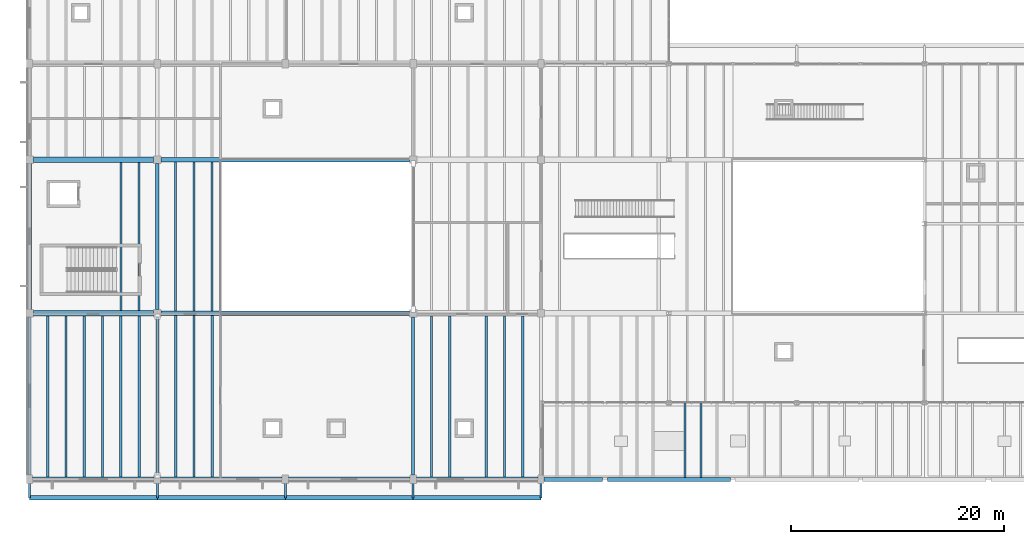
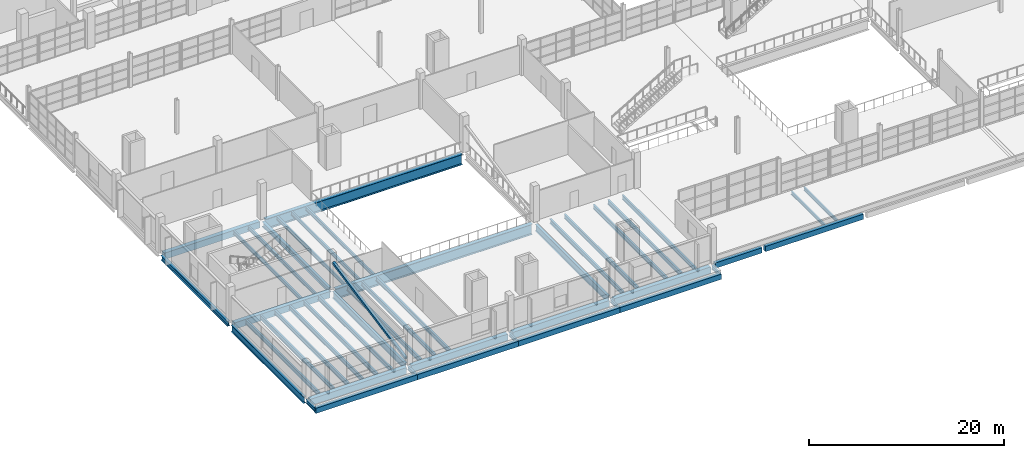
# One storey, part 11 of 114: 45 beams, 1 member.
"""IFC4 building model written with IfcOpenShell, lengths in metres."""

import ifcopenshell
import ifcopenshell.guid

model = None  # the IFC model being written
_history = None  # IfcOwnerHistory: only IFC2X3 demands one
_inside = {}  # id of a spatial element -> (the spatial element, [elements in it])
_under = {}  # id of a project, library or spatial element -> (it, [spatial elements below it])
_declared = {}  # id of a project -> (the project, [libraries it declares])
_typed = {}  # id of a type object -> (the type object, [elements of that type])
_made_of = {}  # id of a material, layer set ... -> (it, [elements and type objects made of it])


def new_model(schema):
    """Start an empty IFC model of exactly this schema.

    Asked for "IFC4X3", IfcOpenShell would pick the latest addendum, in which some entities
    have other attributes; the version numbers below select the first issue.
    IFC2X3 requires an IfcOwnerHistory on every rooted entity: one is made here for all.
    """
    global model, _history
    if schema == "IFC4X3":
        model = ifcopenshell.file(schema_version=(4, 3, 0, 0))
    else:
        model = ifcopenshell.file(schema=schema)
    _inside.clear()
    _under.clear()
    _declared.clear()
    _typed.clear()
    _made_of.clear()
    _history = None
    if model.schema == "IFC2X3":
        org = make("IfcOrganization", Name="unknown")
        user = make(
            "IfcPersonAndOrganization",
            ThePerson=make("IfcPerson", FamilyName="unknown"),
            TheOrganization=org,
        )
        app = make(
            "IfcApplication",
            ApplicationDeveloper=org,
            Version="unknown",
            ApplicationFullName="unknown",
            ApplicationIdentifier="unknown",
        )
        _history = make(
            "IfcOwnerHistory",
            OwningUser=user,
            OwningApplication=app,
            ChangeAction="ADDED",
            CreationDate=0,
        )
    return model


def make(cls, **values):
    """One entity of the class cls with the attributes given. An attribute that is None is left unset."""
    return model.create_entity(
        cls, **{name: value for name, value in values.items() if value is not None}
    )


def rooted(cls, **values):
    """An entity with a GlobalId (a new one), such as an element, a storey or a relation."""
    return make(cls, GlobalId=ifcopenshell.guid.new(), OwnerHistory=_history, **values)


def si_unit(unit_type, name, prefix=None):
    """IfcSIUnit, for example si_unit("LENGTHUNIT", "METRE", prefix="MILLI")."""
    return make("IfcSIUnit", UnitType=unit_type, Prefix=prefix, Name=name)


def assignment(units):
    """IfcUnitAssignment: the units of a project."""
    return None if units is None else make("IfcUnitAssignment", Units=units)


def point(xyz):
    """IfcCartesianPoint."""
    return None if xyz is None else make("IfcCartesianPoint", Coordinates=xyz)


def direction(xyz):
    """IfcDirection."""
    return None if xyz is None else make("IfcDirection", DirectionRatios=xyz)


def frame(location, z_axis=None, x_axis=None):
    """IfcAxis2Placement3D, a coordinate frame: its origin and axes. An axis left out is left unset."""
    return make(
        "IfcAxis2Placement3D",
        Location=point(location),
        Axis=direction(z_axis),
        RefDirection=direction(x_axis),
    )


def frame_2d(location, x_axis=None):
    """IfcAxis2Placement2D, a coordinate frame in the plane: its origin and x axis."""
    return make(
        "IfcAxis2Placement2D", Location=point(location), RefDirection=direction(x_axis)
    )


def origin():
    """The frame at (0, 0, 0) with its axes left unset."""
    return frame((0.0, 0.0, 0.0))


def origin_2d():
    """The frame at (0, 0) in the plane with its x axis left unset."""
    return frame_2d((0.0, 0.0))


def place(relative_to, where):
    """IfcLocalPlacement: puts the frame where relative to a parent placement (None: the world)."""
    return make(
        "IfcLocalPlacement", PlacementRelTo=relative_to, RelativePlacement=where
    )


def context(
    kind, dimensions, precision=None, world=None, true_north=None, identifier=None
):
    """IfcGeometricRepresentationContext, for example the 3D "Model" context."""
    return make(
        "IfcGeometricRepresentationContext",
        ContextIdentifier=identifier,
        ContextType=kind,
        CoordinateSpaceDimension=dimensions,
        Precision=precision,
        WorldCoordinateSystem=world,
        TrueNorth=true_north,
    )


def subcontext(parent, identifier, kind, view, scale=None):
    """IfcGeometricRepresentationSubContext, for example "Body" below "Model"."""
    return make(
        "IfcGeometricRepresentationSubContext",
        ContextIdentifier=identifier,
        ContextType=kind,
        ParentContext=parent,
        TargetScale=scale,
        TargetView=view,
    )


def project(units=None, contexts=None):
    """IfcProject with its units and contexts."""
    return rooted(
        "IfcProject",
        Name="project",
        RepresentationContexts=contexts,
        UnitsInContext=assignment(units),
    )


def spatial(cls, under=None, at=None, **own):
    """A site, building, storey or space (cls), placed at a placement, below another one or the project."""
    s = rooted(cls, ObjectPlacement=at, **own)
    if under is not None:
        _under.setdefault(under.id(), (under, []))[1].append(s)
    return s


def profile(cls, at=None, kind="AREA", **sizes):
    """A parametric profile (cls). Its sizes go by their IFC names, for example OverallWidth=200.0."""
    return make(cls, ProfileType=kind, Position=at, **sizes)


def rectangle(**sizes):
    """IfcRectangleProfileDef."""
    return profile("IfcRectangleProfileDef", **sizes)


def hollow_rectangle(**sizes):
    """IfcRectangleHollowProfileDef."""
    return profile("IfcRectangleHollowProfileDef", **sizes)


def i_section(**sizes):
    """IfcIShapeProfileDef."""
    return profile("IfcIShapeProfileDef", **sizes)


def extrude(swept, where, along, depth):
    """IfcExtrudedAreaSolid: the profile swept, set in the frame where, extruded along a direction by depth."""
    return make(
        "IfcExtrudedAreaSolid",
        SweptArea=swept,
        Position=where,
        ExtrudedDirection=direction(along),
        Depth=depth,
    )


def shape(context_of_items, identifier, shape_type, items):
    """IfcShapeRepresentation: the items that make up one representation, for example the "Body"."""
    return make(
        "IfcShapeRepresentation",
        ContextOfItems=context_of_items,
        RepresentationIdentifier=identifier,
        RepresentationType=shape_type,
        Items=items,
    )


def material(Name=None, Category=None):
    """IfcMaterial."""
    return make("IfcMaterial", Name=Name, Category=Category)


def material_profile(
    of_material, cross_section, Name=None, Category=None, Priority=None
):
    """IfcMaterialProfile: a cross section and its material."""
    return make(
        "IfcMaterialProfile",
        Name=Name,
        Material=of_material,
        Profile=cross_section,
        Priority=Priority,
        Category=Category,
    )


def profile_set(profiles, Name=None, composite=None):
    """IfcMaterialProfileSet."""
    return make(
        "IfcMaterialProfileSet",
        Name=Name,
        MaterialProfiles=profiles,
        CompositeProfile=composite,
    )


def made_of(thing, what):
    """Note that an element or type object is made of a material, layer set ...; save() writes the relation."""
    if what is not None:
        _made_of.setdefault(what.id(), (what, []))[1].append(thing)
    return thing


def type_object(cls, material=None, **own):
    """A type object (cls), such as IfcWallType, which elements share."""
    return made_of(rooted(cls, **own), material)


def element(
    cls,
    number,
    at=None,
    inside=None,
    cuts=None,
    type_object=None,
    material=None,
    context=None,
    identifier="Body",
    shape_type=None,
    held_by="IfcProductDefinitionShape",
    body=None,
    shapes=None,
    **own,
):
    """One element of the class cls, such as IfcWall. Its Tag is "e" and its number.

    at: its placement. inside: the storey or other place that contains it. cuts: it is an
    opening in that element (IfcRelVoidsElement). A single representation is given by context,
    identifier, shape_type and body (its items); several are given by shapes. held_by: the class
    of the entity that holds the representations. save() writes the other relations.
    """
    e = rooted(cls, Tag="e%d" % number, ObjectPlacement=at, **own)
    if body is not None:
        shapes = [shape(context, identifier, shape_type, body)]
    if shapes is not None:
        e.Representation = make(held_by, Representations=shapes)
    if inside is not None:
        _inside.setdefault(inside.id(), (inside, []))[1].append(e)
    if cuts is not None:
        rooted(
            "IfcRelVoidsElement", RelatingBuildingElement=cuts, RelatedOpeningElement=e
        )
    if type_object is not None:
        _typed.setdefault(type_object.id(), (type_object, []))[1].append(e)
    return made_of(e, material)


def aggregate(whole, parts):
    """IfcRelAggregates: a whole, such as a stair, and the parts it consists of."""
    return rooted("IfcRelAggregates", RelatingObject=whole, RelatedObjects=parts)


def save(model, path):
    """Write the relations noted so far, then the file.

    IfcRelAggregates (storeys below a building ...), IfcRelContainedInSpatialStructure (elements
    in a storey), IfcRelDefinesByType, IfcRelAssociatesMaterial and IfcRelDeclares: one each for
    every whole, place, type object, material and project.
    """
    for whole, parts in _under.values():
        aggregate(whole, parts)
    for where, things in _inside.values():
        rooted(
            "IfcRelContainedInSpatialStructure",
            RelatedElements=things,
            RelatingStructure=where,
        )
    for kind, things in _typed.values():
        rooted("IfcRelDefinesByType", RelatedObjects=things, RelatingType=kind)
    for what, things in _made_of.values():
        rooted("IfcRelAssociatesMaterial", RelatedObjects=things, RelatingMaterial=what)
    for by, libraries in _declared.values():
        rooted("IfcRelDeclares", RelatingContext=by, RelatedDefinitions=libraries)
    model.write(path)


model = new_model("IFC4")

# Units and contexts
model_context = context("Model", 3, precision=1e-05, world=origin(), true_north=direction((0.0, 1.0)))
body_context = subcontext(model_context, "Body", "Model", "MODEL_VIEW")
ifc_project = project(units=[si_unit("LENGTHUNIT", "METRE"), si_unit("AREAUNIT", "SQUARE_METRE"), si_unit("VOLUMEUNIT", "CUBIC_METRE"), si_unit("PLANEANGLEUNIT", "RADIAN"), si_unit("MASSUNIT", "GRAM", prefix="KILO")], contexts=[model_context])

# Site, building, storey
site_placement = place(None, origin())
site = spatial("IfcSite", under=ifc_project, at=site_placement, CompositionType="ELEMENT")
building_placement = place(site_placement, origin())
building = spatial("IfcBuilding", under=site, at=building_placement, Name="Kelmvaro Bay Concert Hall", CompositionType="ELEMENT")
storey_placement = place(building_placement, frame((0.0, 0.0, 4.800048828125)))
storey = spatial("IfcBuildingStorey", under=building, at=storey_placement, Name="L01", CompositionType="ELEMENT", Elevation=4.800048828125)

# Beams
ifc_material_1 = material(Name="Steel ASTM A992 Grade 50", Category="steel")
ifc_material_profile_1 = material_profile(ifc_material_1, i_section(OverallWidth=0.19189453125, OverallDepth=0.4619140625, WebThickness=0.010498046875, FlangeThickness=0.017578125, at=origin_2d()), Name="W18X60")
ifc_profile_set_1 = profile_set([ifc_material_profile_1], Name="Steel ASTM A992 Grade 50")
beam_type_1 = type_object("IfcBeamType", Name="Acoustic Box Floor Joist W18x60", PredefinedType="JOIST", material=ifc_profile_set_1)
for number, where, z_axis, x_axis, name in (
    (1, (8.5712890625, 15.85009765625, -0.48095703125), (0.0, 1.0, 0.0), (-1.0, 0.0, 0.0), "L01 Floor Joist JST-L01-0280"),
    (2, (10.28564453125, 15.85009765625, -0.48095703125), (0.0, 1.0, 0.0), (-1.0, 0.0, 0.0), "L01 Floor Joist JST-L01-0281"),
):
    element("IfcBeam", number, at=place(storey_placement, frame(where, z_axis=z_axis, x_axis=x_axis)), inside=storey, type_object=beam_type_1, Name=name, PredefinedType="JOIST", context=body_context, shape_type="SweptSolid", body=[
        extrude(i_section(OverallWidth=0.19189453125, OverallDepth=0.4619140625, WebThickness=0.010498046875, FlangeThickness=0.017578125, at=origin_2d()), origin(), (0.0, 0.0, 1.0), 13.89990234375),
    ])
for number, where, z_axis, x_axis, name in (
    (3, (13.71435546875, 15.824951171875, -0.48095703125), (0.0, 1.0, 0.0), (-1.0, 0.0, 0.0), "L01 Floor Joist JST-L01-0282"),
    (4, (15.4287109375, 15.824951171875, -0.48095703125), (0.0, 1.0, 0.0), (-1.0, 0.0, 0.0), "L01 Floor Joist JST-L01-0283"),
    (5, (17.142822265625, 15.824951171875, -0.48095703125), (0.0, 1.0, 0.0), (-1.0, 0.0, 0.0), "L01 Floor Joist JST-L01-0284"),
):
    element("IfcBeam", number, at=place(storey_placement, frame(where, z_axis=z_axis, x_axis=x_axis)), inside=storey, type_object=beam_type_1, Name=name, PredefinedType="JOIST", context=body_context, shape_type="SweptSolid", body=[
        extrude(i_section(OverallWidth=0.19189453125, OverallDepth=0.4619140625, WebThickness=0.010498046875, FlangeThickness=0.017578125, at=origin_2d()), origin(), (0.0, 0.0, 1.0), 13.949951171875),
    ])
ifc_material_2 = material(Name="Concrete C40/50", Category="concrete")
ifc_material_profile_2 = material_profile(ifc_material_2, rectangle(XDim=0.39990234375, YDim=0.64990234375, at=origin_2d()), Name="RC-BM-400X650")
ifc_profile_set_2 = profile_set([ifc_material_profile_2], Name="Concrete C40/50")
beam_type_2 = type_object("IfcBeamType", Name="Canopy Edge Concrete Beam RC400x650", PredefinedType="BEAM", material=ifc_profile_set_2)
for number, where, z_axis, x_axis, name in (
    (6, (0.0, -1.719970703125, -0.6650390625), (1.0, 0.0, 0.0), (0.0, 1.0, 0.0), "Storm Eave Fascia Beam V3S-01"),
    (7, (12.0, -1.719970703125, -0.6650390625), (1.0, 0.0, 0.0), (0.0, 1.0, 0.0), "Storm Eave Fascia Beam V3S-02"),
    (8, (24.0, -1.719970703125, -0.6650390625), (1.0, 0.0, 0.0), (0.0, 1.0, 0.0), "Storm Eave Fascia Beam V3S-03"),
    (9, (36.0, -1.719970703125, -0.6650390625), (1.0, 0.0, 0.0), (0.0, 1.0, 0.0), "Storm Eave Fascia Beam V3S-04"),
):
    element("IfcBeam", number, at=place(storey_placement, frame(where, z_axis=z_axis, x_axis=x_axis)), inside=storey, type_object=beam_type_2, Name=name, PredefinedType="BEAM", context=body_context, shape_type="SweptSolid", body=[
        extrude(rectangle(XDim=0.39990234375, YDim=0.64990234375, at=origin_2d()), origin(), (0.0, 0.0, 1.0), 12.0),
    ])
beam_1_placement = place(storey_placement, frame((48.300048828125, 0.0, -0.43505859375), z_axis=(1.0, 0.0, 0.0), x_axis=(0.0, 1.0, 0.0)))
element("IfcBeam", 10, at=beam_1_placement, inside=storey, type_object=beam_type_2, Name="L01 Girder BM-L01-EW-0005", PredefinedType="BEAM", context=body_context, shape_type="SweptSolid", body=[
    extrude(rectangle(XDim=0.39990234375, YDim=0.64990234375, at=origin_2d()), origin(), (0.0, 0.0, 1.0), 5.474853515625),
])
beam_2_placement = place(storey_placement, frame((54.22509765625, 0.0, -0.43505859375), z_axis=(1.0, 0.0, 0.0), x_axis=(0.0, 1.0, 0.0)))
element("IfcBeam", 11, at=beam_2_placement, inside=storey, type_object=beam_type_2, Name="L01 Girder BM-L01-EW-0006", PredefinedType="BEAM", context=body_context, shape_type="SweptSolid", body=[
    extrude(rectangle(XDim=0.39990234375, YDim=0.64990234375, at=origin_2d()), origin(), (0.0, 0.0, 1.0), 11.574951171875),
])
ifc_material_3 = material(Name="Steel ASTM A992 Grade 50", Category="steel")
ifc_material_profile_3 = material_profile(ifc_material_3, i_section(OverallWidth=0.19189453125, OverallDepth=0.4619140625, WebThickness=0.010498046875, FlangeThickness=0.017578125, at=origin_2d()), Name="W18X60")
ifc_profile_set_3 = profile_set([ifc_material_profile_3], Name="Steel ASTM A992 Grade 50")
beam_type_3 = type_object("IfcBeamType", Name="Canopy Primary Frame Beam W18x60", PredefinedType="BEAM", material=ifc_profile_set_3)
for number, where, z_axis, x_axis, name in (
    (12, (0.0, 0.0, -0.571044921875), (0.0, -1.0, 0.0), (1.0, 0.0, 0.0), "Storm Eave Cantilever Bracket V3S-01"),
    (13, (12.0, 0.0, -0.571044921875), (0.0, -1.0, 0.0), (1.0, 0.0, 0.0), "Storm Eave Cantilever Bracket V3S-02"),
    (14, (24.0, 0.0, -0.571044921875), (0.0, -1.0, 0.0), (1.0, 0.0, 0.0), "Storm Eave Cantilever Bracket V3S-03"),
    (15, (36.0, 0.0, -0.571044921875), (0.0, -1.0, 0.0), (1.0, 0.0, 0.0), "Storm Eave Cantilever Bracket V3S-04"),
    (16, (48.0, 0.0, -0.571044921875), (0.0, -1.0, 0.0), (1.0, 0.0, 0.0), "Storm Eave Cantilever Bracket V3S-05"),
):
    element("IfcBeam", number, at=place(storey_placement, frame(where, z_axis=z_axis, x_axis=x_axis)), inside=storey, type_object=beam_type_3, Name=name, PredefinedType="BEAM", context=body_context, shape_type="SweptSolid", body=[
        extrude(i_section(OverallWidth=0.19189453125, OverallDepth=0.4619140625, WebThickness=0.010498046875, FlangeThickness=0.017578125, at=origin_2d()), origin(), (0.0, 0.0, 1.0), 1.719970703125),
    ])
ifc_material_4 = material(Name="Steel ASTM A992 Grade 50", Category="steel")
ifc_material_profile_4 = material_profile(ifc_material_4, i_section(OverallWidth=0.177978515625, OverallDepth=0.404052734375, WebThickness=0.007568359375, FlangeThickness=0.010986328125, at=origin_2d()), Name="W16X36")
ifc_profile_set_4 = profile_set([ifc_material_profile_4], Name="Steel ASTM A992 Grade 50")
beam_type_4 = type_object("IfcBeamType", Name="Canopy Roof Joist W16x36", PredefinedType="JOIST", material=ifc_profile_set_4)
for number, where, z_axis, x_axis, name in (
    (17, (61.5, 0.199951171875, -0.31201171875), (0.0, 1.0, 0.0), (-1.0, 0.0, 0.0), "L01 Floor Joist JST-L01-0234"),
    (18, (63.0, 0.199951171875, -0.31201171875), (0.0, 1.0, 0.0), (-1.0, 0.0, 0.0), "L01 Floor Joist JST-L01-0235"),
):
    element("IfcBeam", number, at=place(storey_placement, frame(where, z_axis=z_axis, x_axis=x_axis)), inside=storey, type_object=beam_type_4, Name=name, PredefinedType="JOIST", context=body_context, shape_type="SweptSolid", body=[
        extrude(i_section(OverallWidth=0.177978515625, OverallDepth=0.404052734375, WebThickness=0.007568359375, FlangeThickness=0.010986328125, at=origin_2d()), origin(), (0.0, 0.0, 1.0), 6.904052734375),
    ])
ifc_material_5 = material(Name="Steel ASTM A992 Grade 50", Category="steel")
ifc_material_profile_5 = material_profile(ifc_material_5, i_section(OverallWidth=0.323974609375, OverallDepth=0.611083984375, WebThickness=0.0126953125, FlangeThickness=0.01904296875, at=origin_2d()), Name="W24X104")
ifc_profile_set_5 = profile_set([ifc_material_profile_5], Name="Steel ASTM A992 Grade 50")
beam_type_5 = type_object("IfcBeamType", Name="Foyer Frame Girder W24x104", PredefinedType="BEAM", material=ifc_profile_set_5)
for number, where, z_axis, x_axis, name in (
    (19, (0.0, 15.949951171875, -0.5556640625), (0.0, 1.0, 0.0), (-1.0, 0.0, 0.0), "L01 Girder BM-L01-NS-0118"),
    (20, (12.0, 15.949951171875, -0.5556640625), (0.0, 1.0, 0.0), (-1.0, 0.0, 0.0), "L01 Girder BM-L01-NS-0129"),
):
    element("IfcBeam", number, at=place(storey_placement, frame(where, z_axis=z_axis, x_axis=x_axis)), inside=storey, type_object=beam_type_5, Name=name, PredefinedType="BEAM", context=body_context, shape_type="SweptSolid", body=[
        extrude(i_section(OverallWidth=0.323974609375, OverallDepth=0.611083984375, WebThickness=0.0126953125, FlangeThickness=0.01904296875, at=origin_2d()), origin(), (0.0, 0.0, 1.0), 13.699951171875),
    ])
ifc_material_6 = material(Name="Steel ASTM A992 Grade 50", Category="steel")
ifc_material_profile_6 = material_profile(ifc_material_6, i_section(OverallWidth=0.2919921875, OverallDepth=0.845947265625, WebThickness=0.015380859375, FlangeThickness=0.0244140625, at=origin_2d()), Name="W33X141")
ifc_profile_set_6 = profile_set([ifc_material_profile_6], Name="Steel ASTM A992 Grade 50")
beam_type_6 = type_object("IfcBeamType", Name="Hall Gallery Girder W33x141", PredefinedType="BEAM", material=ifc_profile_set_6)
for number, where, z_axis, x_axis, name in (
    (21, (0.0, 0.39990234375, -0.673095703125), (0.0, 1.0, 0.0), (-1.0, 0.0, 0.0), "L01 Girder BM-L01-NS-0117"),
    (22, (12.0, 0.39990234375, -0.673095703125), (0.0, 1.0, 0.0), (-1.0, 0.0, 0.0), "L01 Girder BM-L01-NS-0128"),
    (23, (36.0, 0.39990234375, -0.673095703125), (0.0, 1.0, 0.0), (-1.0, 0.0, 0.0), "L01 Girder BM-L01-NS-0142"),
):
    element("IfcBeam", number, at=place(storey_placement, frame(where, z_axis=z_axis, x_axis=x_axis)), inside=storey, type_object=beam_type_6, Name=name, PredefinedType="BEAM", context=body_context, shape_type="SweptSolid", body=[
        extrude(i_section(OverallWidth=0.2919921875, OverallDepth=0.845947265625, WebThickness=0.015380859375, FlangeThickness=0.0244140625, at=origin_2d()), origin(), (0.0, 0.0, 1.0), 14.85009765625),
    ])

# Member
ifc_material_7 = material(Name="Steel ASTM A500 Grade C", Category="steel")
ifc_material_profile_7 = material_profile(ifc_material_7, hollow_rectangle(XDim=0.300048828125, YDim=0.300048828125, WallThickness=0.012451171875, at=origin_2d()), Name="HSS300X300X12")
ifc_profile_set_7 = profile_set([ifc_material_profile_7], Name="Steel ASTM A500 Grade C")
member_type = type_object("IfcMemberType", Name="Lateral Wind Brace HSS300x300x12", PredefinedType="BRACE", material=ifc_profile_set_7)
member_placement = place(storey_placement, frame((12.0, 0.40185546875, 0.350341796875), z_axis=(0.0, 0.980834200632, 0.194844222063), x_axis=(-1.0, 0.0, 0.0)))
element("IfcMember", 24, at=member_placement, inside=storey, type_object=member_type, Name="L01 Lateral Diagonal Brace V3-W", PredefinedType="BRACE", context=body_context, shape_type="SweptSolid", body=[
    extrude(hollow_rectangle(XDim=0.300048828125, YDim=0.300048828125, WallThickness=0.012451171875, at=origin_2d()), origin(), (0.0, 0.0, 1.0), 15.13623046875),
])

# Beams
ifc_material_8 = material(Name="Steel ASTM A992 Grade 50", Category="steel")
ifc_material_profile_8 = material_profile(ifc_material_8, i_section(OverallWidth=0.2119140625, OverallDepth=0.5439453125, WebThickness=0.01318359375, FlangeThickness=0.021240234375, at=origin_2d()), Name="W21X83")
ifc_profile_set_8 = profile_set([ifc_material_profile_8], Name="Steel ASTM A992 Grade 50")
beam_type_7 = type_object("IfcBeamType", Name="Long Span Assembly Joist W21x83", PredefinedType="JOIST", material=ifc_profile_set_8)
for number, where, z_axis, x_axis, name in (
    (25, (1.71435546875, 0.25, -0.52197265625), (0.0, 1.0, 0.0), (-1.0, 0.0, 0.0), "L01 Floor Joist JST-L01-0217"),
    (26, (3.4287109375, 0.25, -0.52197265625), (0.0, 1.0, 0.0), (-1.0, 0.0, 0.0), "L01 Floor Joist JST-L01-0218"),
    (27, (5.142822265625, 0.25, -0.52197265625), (0.0, 1.0, 0.0), (-1.0, 0.0, 0.0), "L01 Floor Joist JST-L01-0219"),
    (28, (6.857177734375, 0.25, -0.52197265625), (0.0, 1.0, 0.0), (-1.0, 0.0, 0.0), "L01 Floor Joist JST-L01-0220"),
    (29, (8.5712890625, 0.25, -0.52197265625), (0.0, 1.0, 0.0), (-1.0, 0.0, 0.0), "L01 Floor Joist JST-L01-0221"),
    (30, (10.28564453125, 0.25, -0.52197265625), (0.0, 1.0, 0.0), (-1.0, 0.0, 0.0), "L01 Floor Joist JST-L01-0222"),
):
    element("IfcBeam", number, at=place(storey_placement, frame(where, z_axis=z_axis, x_axis=x_axis)), inside=storey, type_object=beam_type_7, Name=name, PredefinedType="JOIST", context=body_context, shape_type="SweptSolid", body=[
        extrude(i_section(OverallWidth=0.2119140625, OverallDepth=0.5439453125, WebThickness=0.01318359375, FlangeThickness=0.021240234375, at=origin_2d()), origin(), (0.0, 0.0, 1.0), 15.10009765625),
    ])
for number, where, z_axis, x_axis, name in (
    (31, (13.71435546875, 0.25, -0.52197265625), (0.0, 1.0, 0.0), (-1.0, 0.0, 0.0), "L01 Floor Joist JST-L01-0223"),
    (32, (15.4287109375, 0.25, -0.52197265625), (0.0, 1.0, 0.0), (-1.0, 0.0, 0.0), "L01 Floor Joist JST-L01-0224"),
    (33, (17.142822265625, 0.25, -0.52197265625), (0.0, 1.0, 0.0), (-1.0, 0.0, 0.0), "L01 Floor Joist JST-L01-0225"),
):
    element("IfcBeam", number, at=place(storey_placement, frame(where, z_axis=z_axis, x_axis=x_axis)), inside=storey, type_object=beam_type_7, Name=name, PredefinedType="JOIST", context=body_context, shape_type="SweptSolid", body=[
        extrude(i_section(OverallWidth=0.2119140625, OverallDepth=0.5439453125, WebThickness=0.01318359375, FlangeThickness=0.021240234375, at=origin_2d()), origin(), (0.0, 0.0, 1.0), 15.125),
    ])
for number, where, z_axis, x_axis, name in (
    (34, (37.71435546875, 0.25, -0.52197265625), (0.0, 1.0, 0.0), (-1.0, 0.0, 0.0), "L01 Floor Joist JST-L01-0226"),
    (35, (39.4287109375, 0.25, -0.52197265625), (0.0, 1.0, 0.0), (-1.0, 0.0, 0.0), "L01 Floor Joist JST-L01-0227"),
    (36, (42.857177734375, 0.25, -0.52197265625), (0.0, 1.0, 0.0), (-1.0, 0.0, 0.0), "L01 Floor Joist JST-L01-0228"),
    (37, (44.5712890625, 0.25, -0.52197265625), (0.0, 1.0, 0.0), (-1.0, 0.0, 0.0), "L01 Floor Joist JST-L01-0229"),
    (38, (46.28564453125, 0.25, -0.52197265625), (0.0, 1.0, 0.0), (-1.0, 0.0, 0.0), "L01 Floor Joist JST-L01-0230"),
):
    element("IfcBeam", number, at=place(storey_placement, frame(where, z_axis=z_axis, x_axis=x_axis)), inside=storey, type_object=beam_type_7, Name=name, PredefinedType="JOIST", context=body_context, shape_type="SweptSolid", body=[
        extrude(i_section(OverallWidth=0.2119140625, OverallDepth=0.5439453125, WebThickness=0.01318359375, FlangeThickness=0.021240234375, at=origin_2d()), origin(), (0.0, 0.0, 1.0), 15.10009765625),
    ])
ifc_material_9 = material(Name="Steel ASTM A992 Grade 50", Category="steel")
ifc_material_profile_9 = material_profile(ifc_material_9, i_section(OverallWidth=0.449951171875, OverallDepth=1.300048828125, WebThickness=0.01806640625, FlangeThickness=0.031982421875, at=origin_2d()), Name="PG1300X450")
ifc_profile_set_9 = profile_set([ifc_material_profile_9], Name="Steel ASTM A992 Grade 50")
beam_type_8 = type_object("IfcBeamType", Name="Long Span Transfer Girder PG1300x450", PredefinedType="BEAM", material=ifc_profile_set_9)
for number, where, z_axis, x_axis, name in (
    (39, (12.35009765625, 15.60009765625, -0.900146484375), (1.0, 0.0, 0.0), (0.0, 1.0, 0.0), "L01 Girder BM-L01-EW-0017"),
    (40, (12.35009765625, 30.0, -0.900146484375), (1.0, 0.0, 0.0), (0.0, 1.0, 0.0), "L01 Girder BM-L01-EW-0034"),
):
    element("IfcBeam", number, at=place(storey_placement, frame(where, z_axis=z_axis, x_axis=x_axis)), inside=storey, type_object=beam_type_8, Name=name, PredefinedType="BEAM", context=body_context, shape_type="SweptSolid", body=[
        extrude(i_section(OverallWidth=0.449951171875, OverallDepth=1.300048828125, WebThickness=0.01806640625, FlangeThickness=0.031982421875, at=origin_2d()), origin(), (0.0, 0.0, 1.0), 23.2998046875),
    ])
ifc_material_10 = material(Name="Concrete C40/50", Category="concrete")
ifc_material_profile_10 = material_profile(ifc_material_10, rectangle(XDim=0.5, YDim=0.800048828125, at=origin_2d()), Name="RC-BM-500X800")
ifc_profile_set_10 = profile_set([ifc_material_profile_10], Name="Concrete C40/50")
beam_type_9 = type_object("IfcBeamType", Name="Pavilion Frame Beam RC500x800", PredefinedType="BEAM", material=ifc_profile_set_10)
for number, where, z_axis, x_axis, name in (
    (41, (0.300048828125, 0.0, -0.739990234375), (1.0, 0.0, 0.0), (0.0, 1.0, 0.0), "L01 Girder BM-L01-EW-0001"),
    (42, (12.300048828125, 0.0, -0.739990234375), (1.0, 0.0, 0.0), (0.0, 1.0, 0.0), "L01 Girder BM-L01-EW-0002"),
    (43, (24.300048828125, 0.0, -0.739990234375), (1.0, 0.0, 0.0), (0.0, 1.0, 0.0), "L01 Girder BM-L01-EW-0003"),
    (44, (36.300048828125, 0.0, -0.739990234375), (1.0, 0.0, 0.0), (0.0, 1.0, 0.0), "L01 Girder BM-L01-EW-0004"),
):
    element("IfcBeam", number, at=place(storey_placement, frame(where, z_axis=z_axis, x_axis=x_axis)), inside=storey, type_object=beam_type_9, Name=name, PredefinedType="BEAM", context=body_context, shape_type="SweptSolid", body=[
        extrude(rectangle(XDim=0.5, YDim=0.800048828125, at=origin_2d()), origin(), (0.0, 0.0, 1.0), 11.39990234375),
    ])
for number, where, z_axis, x_axis, name in (
    (45, (0.35009765625, 15.60009765625, -0.650146484375), (1.0, 0.0, 0.0), (0.0, 1.0, 0.0), "L01 Girder BM-L01-EW-0016"),
    (46, (0.35009765625, 30.0, -0.650146484375), (1.0, 0.0, 0.0), (0.0, 1.0, 0.0), "L01 Girder BM-L01-EW-0033"),
):
    element("IfcBeam", number, at=place(storey_placement, frame(where, z_axis=z_axis, x_axis=x_axis)), inside=storey, type_object=beam_type_9, Name=name, PredefinedType="BEAM", context=body_context, shape_type="SweptSolid", body=[
        extrude(rectangle(XDim=0.5, YDim=0.800048828125, at=origin_2d()), origin(), (0.0, 0.0, 1.0), 11.2998046875),
    ])

save(model, "model.ifc")
